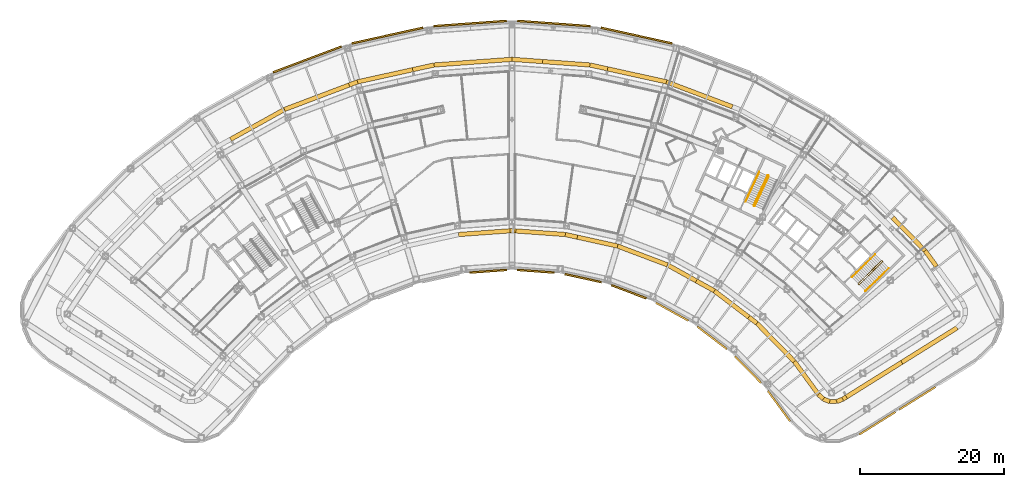
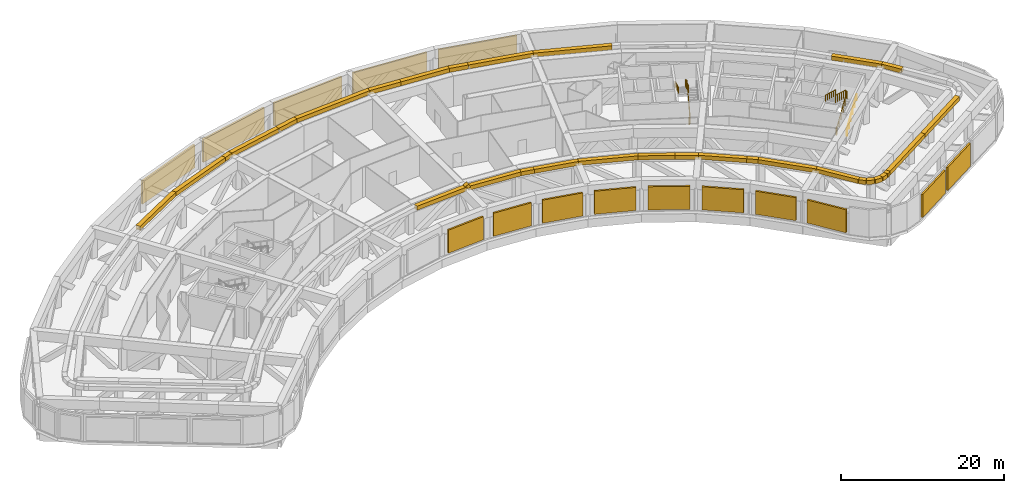
# One storey, part 28 of 30: 32 coverings, 15 shading devices, 5 railings.
"""IFC4 building model written with IfcOpenShell, lengths in metres."""

from ifc_helpers import new_model, si_unit, direction, frame, origin, origin_2d, place, context, subcontext, project, spatial, rectangle, circle, extrude, material, material_profile, profile_set, type_object, element, save


model = new_model("IFC4")

# Units and contexts
model_context = context("Model", 3, precision=1e-05, world=origin(), true_north=direction((0.0, 1.0)))
body_context = subcontext(model_context, "Body", "Model", "MODEL_VIEW")
ifc_project = project(units=[si_unit("LENGTHUNIT", "METRE"), si_unit("AREAUNIT", "SQUARE_METRE"), si_unit("VOLUMEUNIT", "CUBIC_METRE"), si_unit("PLANEANGLEUNIT", "RADIAN"), si_unit("MASSUNIT", "GRAM", prefix="KILO")], contexts=[model_context])

# Site, building, storey
site_placement = place(None, origin())
site = spatial("IfcSite", under=ifc_project, at=site_placement, CompositionType="ELEMENT")
building_placement = place(site_placement, origin())
building = spatial("IfcBuilding", under=site, at=building_placement, Name="Tuul Gate Civic Tower", CompositionType="ELEMENT")
storey_placement = place(building_placement, frame((0.0, 0.0, 26.699951171875)))
storey = spatial("IfcBuildingStorey", under=building, at=storey_placement, Name="Plant and refuge floor 1", CompositionType="ELEMENT", Elevation=26.699951171875)

# Shading devices
ifc_material_1 = material(Name="Aluminium louvre", Category="aluminium")
shading_device_type = type_object("IfcShadingDeviceType", Name="Louvre panel", PredefinedType="USERDEFINED", material=ifc_material_1)
for number, where, z_axis, x_axis, name in (
    (1, (17.27783203125, 18.398681640625, 0.30029296875), (0.0, 0.0, 1.0), (0.215206763576, 0.976568507024, 0.0), "Louvre panel"),
    (2, (5.799560546875, 20.070068359375, 0.30029296875), (0.0, 0.0, 1.0), (0.072256877688, 0.99738605546, 0.0), "Louvre panel"),
    (3, (-5.799560546875, 20.070068359375, 0.30029296875), (0.0, 0.0, 1.0), (-0.072256877688, 0.99738605546, 0.0), "Louvre panel"),
    (4, (-17.27783203125, 18.398681640625, 0.30029296875), (0.0, 0.0, 1.0), (-0.215206763576, 0.976568507024, 0.0), "Louvre panel"),
    (5, (-28.395751953125, 15.09033203125, 0.30029296875), (0.0, 0.0, 1.0), (-0.353698661692, 0.935359426487, 0.0), "Louvre panel"),
):
    element("IfcShadingDevice", number, at=place(storey_placement, frame(where, z_axis=z_axis, x_axis=x_axis)), inside=storey, type_object=shading_device_type, Name=name, ObjectType="LOUVRE", PredefinedType="USERDEFINED", context=body_context, shape_type="SweptSolid", body=[
        extrude(rectangle(XDim=0.25, YDim=10.10009765625, at=origin_2d()), origin(), (0.0, 0.0, 1.0), 3.449951171875),
    ])
for number, where, z_axis, x_axis, name in (
    (6, (-3.31103515625, -14.2890625, 0.30029296875), (0.0, 0.0, 1.0), (0.072250439303, -0.997386521876, 0.0), "Louvre panel"),
    (7, (3.31103515625, -14.2890625, 0.30029296875), (0.0, 0.0, 1.0), (-0.072250439303, -0.997386521876, 0.0), "Louvre panel"),
    (8, (9.863525390625, -15.24365234375, 0.30029296875), (0.0, 0.0, 1.0), (-0.215260087551, -0.976556754473, 0.0), "Louvre panel"),
    (9, (16.210205078125, -17.13232421875, 0.30029296875), (0.0, 0.0, 1.0), (-0.353739389433, -0.935344024605, 0.0), "Louvre panel"),
    (10, (22.218994140625, -19.915771484375, 0.30029296875), (0.0, 0.0, 1.0), (-0.484724404523, -0.87466693756, 0.0), "Louvre panel"),
    (11, (27.763671875, -23.535888671875, 0.30029296875), (0.0, 0.0, 1.0), (-0.605776174218, -0.795635109048, 0.0), "Louvre panel"),
    (12, (32.728759765625, -27.91748046875, 0.30029296875), (0.0, 0.0, 1.0), (-0.714131733701, -0.700011333423, 0.0), "Louvre panel"),
):
    element("IfcShadingDevice", number, at=place(storey_placement, frame(where, z_axis=z_axis, x_axis=x_axis)), inside=storey, type_object=shading_device_type, Name=name, ObjectType="LOUVRE", PredefinedType="USERDEFINED", context=body_context, shape_type="SweptSolid", body=[
        extrude(rectangle(XDim=0.25, YDim=5.14990234375, at=origin_2d()), origin(), (0.0, 0.0, 1.0), 3.449951171875),
    ])
shading_device_placement = place(storey_placement, frame((37.0263671875, -32.990966796875, 0.30029296875), z_axis=(0.0, 0.0, 1.0), x_axis=(-0.807581267597, -0.589756302404, 0.0)))
element("IfcShadingDevice", 13, at=shading_device_placement, inside=storey, type_object=shading_device_type, Name="Louvre panel", ObjectType="LOUVRE", PredefinedType="USERDEFINED", context=body_context, shape_type="SweptSolid", body=[
    extrude(rectangle(XDim=0.25, YDim=5.199951171875, at=origin_2d()), origin(), (0.0, 0.0, 1.0), 3.449951171875),
])
for number, where, z_axis, x_axis, name in (
    (14, (50.678955078125, -35.3779296875, 0.30029296875), (0.0, 0.0, 1.0), (0.529943874358, -0.848032717547, 0.0), "Louvre panel"),
    (15, (56.21630859375, -31.91748046875, 0.30029296875), (0.0, 0.0, 1.0), (0.529943874358, -0.848032717547, 0.0), "Louvre panel"),
):
    element("IfcShadingDevice", number, at=place(storey_placement, frame(where, z_axis=z_axis, x_axis=x_axis)), inside=storey, type_object=shading_device_type, Name=name, ObjectType="LOUVRE", PredefinedType="USERDEFINED", context=body_context, shape_type="SweptSolid", body=[
        extrude(rectangle(XDim=0.25, YDim=5.89990234375, at=origin_2d()), origin(), (0.0, 0.0, 1.0), 3.449951171875),
    ])

# Railings
ifc_material_2 = material(Name="Painted steel", Category="steel")
railing_type_1 = type_object("IfcRailingType", Name="Stair guard", PredefinedType="GUARDRAIL", material=ifc_material_2)
railing_1_placement = place(storey_placement, frame((48.10546875, -16.134765625, 0.0)))
element("IfcRailing", 16, at=railing_1_placement, inside=storey, type_object=railing_type_1, Name="Plant and refuge floor 1 ST-3 stair guard 1", PredefinedType="GUARDRAIL", context=body_context, shape_type="SweptSolid", body=[
    extrude(circle(Radius=0.02392578125, at=origin_2d()), frame((0.0, 0.0, 1.076171875), z_axis=(-0.698506948293, 0.715603272202, 0.0), x_axis=(-0.715603272202, -0.698506948293, 0.0)), (0.0, 0.0, 1.0), 0.099853515625),
    extrude(circle(Radius=0.02392578125, at=origin_2d()), frame((-0.06982421875, 0.071533203125, 1.076171875), z_axis=(0.644948864628, -0.331432055434, 0.688617277337), x_axis=(0.457068866502, 0.889431307788, 0.0)), (0.0, 0.0, 1.0), 0.218017578125),
    extrude(circle(Radius=0.02392578125, at=origin_2d()), frame((0.07080078125, -0.000732421875, 1.22607421875), z_axis=(0.638734809626, 0.626118304991, 0.447206564272), x_axis=(-0.700018794508, 0.714124420066, 0.0)), (0.0, 0.0, 1.0), 5.03125),
    extrude(circle(Radius=0.02392578125, at=origin_2d()), frame((3.284423828125, 3.1494140625, 3.47607421875), z_axis=(0.010344274102, 0.999946496565, 0.0), x_axis=(-0.999946496565, 0.010344274102, 0.0)), (0.0, 0.0, 1.0), 0.07080078125),
    extrude(circle(Radius=0.02392578125, at=origin_2d()), frame((3.28515625, 3.22021484375, 3.47607421875), z_axis=(-0.700974368541, 0.713186465554, 0.0), x_axis=(-0.713186465554, -0.700974368541, 0.0)), (0.0, 0.0, 1.0), 0.099853515625),
    extrude(circle(Radius=0.02392578125, at=origin_2d()), frame((3.215087890625, 3.29150390625, 3.47607421875), z_axis=(-0.427069033481, 0.004417955519, 0.904208229508), x_axis=(-0.010344274102, -0.999946496565, 0.0)), (0.0, 0.0, 1.0), 0.165771484375),
    extrude(circle(Radius=0.02392578125, at=origin_2d()), frame((3.144287109375, 3.292236328125, 3.6259765625), z_axis=(-0.638734809626, -0.626118304991, 0.447206564272), x_axis=(0.700018794508, -0.714124420066, 0.0)), (0.0, 0.0, 1.0), 5.03125),
    extrude(circle(Radius=0.02099609375, at=origin_2d()), origin(), (0.0, 0.0, 1.0), 1.052001953125),
    extrude(circle(Radius=0.02099609375, at=origin_2d()), frame((-0.06982421875, 0.071533203125, 0.0)), (0.0, 0.0, 1.0), 1.052001953125),
    extrude(circle(Radius=0.02099609375, at=origin_2d()), frame((0.07080078125, -0.000732421875, 0.150146484375)), (0.0, 0.0, 1.0), 1.052001953125),
    extrude(circle(Radius=0.02099609375, at=origin_2d()), frame((0.713623046875, 0.62939453125, 0.60009765625)), (0.0, 0.0, 1.0), 1.052001953125),
    extrude(circle(Radius=0.02099609375, at=origin_2d()), frame((1.356201171875, 1.25927734375, 1.050048828125)), (0.0, 0.0, 1.0), 1.052001953125),
    extrude(circle(Radius=0.02099609375, at=origin_2d()), frame((1.9990234375, 1.889404296875, 1.500244140625)), (0.0, 0.0, 1.0), 1.052001953125),
    extrude(circle(Radius=0.02099609375, at=origin_2d()), frame((2.6416015625, 2.519287109375, 1.9501953125)), (0.0, 0.0, 1.0), 1.052001953125),
    extrude(circle(Radius=0.02099609375, at=origin_2d()), frame((3.284423828125, 3.1494140625, 2.400146484375)), (0.0, 0.0, 1.0), 1.052001953125),
    extrude(circle(Radius=0.02099609375, at=origin_2d()), frame((3.28515625, 3.22021484375, 2.400146484375)), (0.0, 0.0, 1.0), 1.052001953125),
    extrude(circle(Radius=0.02099609375, at=origin_2d()), frame((3.215087890625, 3.29150390625, 2.400146484375)), (0.0, 0.0, 1.0), 1.052001953125),
    extrude(circle(Radius=0.02099609375, at=origin_2d()), frame((3.144287109375, 3.292236328125, 2.550048828125)), (0.0, 0.0, 1.0), 1.052001953125),
    extrude(circle(Radius=0.02099609375, at=origin_2d()), frame((2.50146484375, 2.662109375, 3.0)), (0.0, 0.0, 1.0), 1.052001953125),
    extrude(circle(Radius=0.02099609375, at=origin_2d()), frame((1.85888671875, 2.0322265625, 3.449951171875)), (0.0, 0.0, 1.0), 1.052001953125),
    extrude(circle(Radius=0.02099609375, at=origin_2d()), frame((1.216064453125, 1.402099609375, 3.900146484375)), (0.0, 0.0, 1.0), 1.052001953125),
    extrude(circle(Radius=0.02099609375, at=origin_2d()), frame((0.573486328125, 0.772216796875, 4.35009765625)), (0.0, 0.0, 1.0), 1.052001953125),
    extrude(circle(Radius=0.02099609375, at=origin_2d()), frame((-0.0693359375, 0.14208984375, 4.800048828125)), (0.0, 0.0, 1.0), 1.052001953125),
])
railing_2_placement = place(storey_placement, frame((33.645751953125, -5.238525390625, 0.0)))
element("IfcRailing", 17, at=railing_2_placement, inside=storey, type_object=railing_type_1, Name="Plant and refuge floor 1 ST-4 stair guard 1", PredefinedType="GUARDRAIL", context=body_context, shape_type="SweptSolid", body=[
    extrude(circle(Radius=0.02392578125, at=origin_2d()), frame((0.0, 0.0, 1.076171875), z_axis=(-0.906307919131, 0.422617978463, 0.0), x_axis=(-0.422617978463, -0.906307919131, 0.0)), (0.0, 0.0, 1.0), 0.099853515625),
    extrude(circle(Radius=0.02392578125, at=origin_2d()), frame((-0.090576171875, 0.042236328125, 1.076171875), z_axis=(0.720179819621, -0.082882280952, 0.688818956559), x_axis=(0.114330889033, 0.993442724979, 0.0)), (0.0, 0.0, 1.0), 0.218017578125),
    extrude(circle(Radius=0.02392578125, at=origin_2d()), frame((0.06640625, 0.024169921875, 1.22607421875), z_axis=(0.377973126322, 0.810635649661, 0.447220481728), x_axis=(-0.906321697749, 0.42258842884, 0.0)), (0.0, 0.0, 1.0), 5.031005859375),
    extrude(circle(Radius=0.02392578125, at=origin_2d()), frame((1.968017578125, 4.1025390625, 3.47607421875), z_axis=(-0.342020437038, 0.939692513883, 0.0), x_axis=(-0.939692513883, -0.342020437038, 0.0)), (0.0, 0.0, 1.0), 0.070556640625),
    extrude(circle(Radius=0.02392578125, at=origin_2d()), frame((1.94384765625, 4.1689453125, 3.47607421875), z_axis=(-0.906307919131, 0.422617978463, 0.0), x_axis=(-0.422617978463, -0.906307919131, 0.0)), (0.0, 0.0, 1.0), 0.099853515625),
    extrude(circle(Radius=0.02392578125, at=origin_2d()), frame((1.853271484375, 4.211181640625, 3.47607421875), z_axis=(-0.401937642714, -0.145757606699, 0.903991621343), x_axis=(0.340913456846, -0.94009468403, 0.0)), (0.0, 0.0, 1.0), 0.165771484375),
    extrude(circle(Radius=0.02392578125, at=origin_2d()), frame((1.78662109375, 4.18701171875, 3.6259765625), z_axis=(-0.377931531328, -0.81065051757, 0.447228684222), x_axis=(0.906342476667, -0.422543861615, 0.0)), (0.0, 0.0, 1.0), 5.031005859375),
    extrude(circle(Radius=0.02099609375, at=origin_2d()), origin(), (0.0, 0.0, 1.0), 1.052001953125),
    extrude(circle(Radius=0.02099609375, at=origin_2d()), frame((-0.090576171875, 0.042236328125, 0.0)), (0.0, 0.0, 1.0), 1.052001953125),
    extrude(circle(Radius=0.02099609375, at=origin_2d()), frame((0.06640625, 0.024169921875, 0.150146484375)), (0.0, 0.0, 1.0), 1.052001953125),
    extrude(circle(Radius=0.02099609375, at=origin_2d()), frame((0.44677734375, 0.83984375, 0.60009765625)), (0.0, 0.0, 1.0), 1.052001953125),
    extrude(circle(Radius=0.02099609375, at=origin_2d()), frame((0.8271484375, 1.655517578125, 1.050048828125)), (0.0, 0.0, 1.0), 1.052001953125),
    extrude(circle(Radius=0.02099609375, at=origin_2d()), frame((1.207275390625, 2.47119140625, 1.500244140625)), (0.0, 0.0, 1.0), 1.052001953125),
    extrude(circle(Radius=0.02099609375, at=origin_2d()), frame((1.587646484375, 3.286865234375, 1.9501953125)), (0.0, 0.0, 1.0), 1.052001953125),
    extrude(circle(Radius=0.02099609375, at=origin_2d()), frame((1.968017578125, 4.1025390625, 2.400146484375)), (0.0, 0.0, 1.0), 1.052001953125),
    extrude(circle(Radius=0.02099609375, at=origin_2d()), frame((1.94384765625, 4.1689453125, 2.400146484375)), (0.0, 0.0, 1.0), 1.052001953125),
    extrude(circle(Radius=0.02099609375, at=origin_2d()), frame((1.853271484375, 4.211181640625, 2.400146484375)), (0.0, 0.0, 1.0), 1.052001953125),
    extrude(circle(Radius=0.02099609375, at=origin_2d()), frame((1.78662109375, 4.18701171875, 2.550048828125)), (0.0, 0.0, 1.0), 1.052001953125),
    extrude(circle(Radius=0.02099609375, at=origin_2d()), frame((1.40625, 3.371337890625, 3.0)), (0.0, 0.0, 1.0), 1.052001953125),
    extrude(circle(Radius=0.02099609375, at=origin_2d()), frame((1.026123046875, 2.5556640625, 3.449951171875)), (0.0, 0.0, 1.0), 1.052001953125),
    extrude(circle(Radius=0.02099609375, at=origin_2d()), frame((0.645751953125, 1.739990234375, 3.900146484375)), (0.0, 0.0, 1.0), 1.052001953125),
    extrude(circle(Radius=0.02099609375, at=origin_2d()), frame((0.265625, 0.92431640625, 4.35009765625)), (0.0, 0.0, 1.0), 1.052001953125),
    extrude(circle(Radius=0.02099609375, at=origin_2d()), frame((-0.11474609375, 0.108642578125, 4.800048828125)), (0.0, 0.0, 1.0), 1.052001953125),
])
ifc_material_3 = material(Name="Painted steel", Category="steel")
railing_type_2 = type_object("IfcRailingType", Name="Stair handrail", PredefinedType="HANDRAIL", material=ifc_material_3)
railing_3_placement = place(storey_placement, frame((49.05126953125, -17.028076171875, 0.150146484375)))
element("IfcRailing", 18, at=railing_3_placement, inside=storey, type_object=railing_type_2, Name="Plant and refuge floor 1 ST-3 stair handrail 1", PredefinedType="HANDRAIL", context=body_context, shape_type="SweptSolid", body=[
    extrude(circle(Radius=0.02392578125, at=origin_2d()), frame((0.0, 0.0, 0.8759765625), z_axis=(0.638734809626, 0.626118304991, 0.447206564272), x_axis=(-0.700018794508, 0.714124420066, 0.0)), (0.0, 0.0, 1.0), 5.03125),
    extrude(circle(Radius=0.02099609375, at=origin_2d()), origin(), (0.0, 0.0, 1.0), 0.851806640625),
    extrude(circle(Radius=0.02099609375, at=origin_2d()), frame((0.642822265625, 0.630126953125, 0.449951171875)), (0.0, 0.0, 1.0), 0.851806640625),
    extrude(circle(Radius=0.02099609375, at=origin_2d()), frame((1.285400390625, 1.260009765625, 0.89990234375)), (0.0, 0.0, 1.0), 0.851806640625),
    extrude(circle(Radius=0.02099609375, at=origin_2d()), frame((1.92822265625, 1.89013671875, 1.35009765625)), (0.0, 0.0, 1.0), 0.851806640625),
    extrude(circle(Radius=0.02099609375, at=origin_2d()), frame((2.57080078125, 2.52001953125, 1.800048828125)), (0.0, 0.0, 1.0), 0.851806640625),
    extrude(circle(Radius=0.02099609375, at=origin_2d()), frame((3.213623046875, 3.150146484375, 2.25)), (0.0, 0.0, 1.0), 0.851806640625),
])
railing_4_placement = place(storey_placement, frame((50.374755859375, -11.949951171875, 2.550048828125)))
element("IfcRailing", 19, at=railing_4_placement, inside=storey, type_object=railing_type_2, Name="Plant and refuge floor 1 ST-3 stair handrail 2", PredefinedType="HANDRAIL", context=body_context, shape_type="SweptSolid", body=[
    extrude(circle(Radius=0.02392578125, at=origin_2d()), frame((0.0, 0.0, 0.8759765625), z_axis=(-0.638754216056, -0.626088801607, 0.447220151574), x_axis=(0.699991125633, -0.714151541366, 0.0)), (0.0, 0.0, 1.0), 5.031005859375),
    extrude(circle(Radius=0.02099609375, at=origin_2d()), origin(), (0.0, 0.0, 1.0), 0.851806640625),
    extrude(circle(Radius=0.02099609375, at=origin_2d()), frame((-0.642822265625, -0.6298828125, 0.449951171875)), (0.0, 0.0, 1.0), 0.851806640625),
    extrude(circle(Radius=0.02099609375, at=origin_2d()), frame((-1.285400390625, -1.260009765625, 0.89990234375)), (0.0, 0.0, 1.0), 0.851806640625),
    extrude(circle(Radius=0.02099609375, at=origin_2d()), frame((-1.92822265625, -1.889892578125, 1.35009765625)), (0.0, 0.0, 1.0), 0.851806640625),
    extrude(circle(Radius=0.02099609375, at=origin_2d()), frame((-2.57080078125, -2.52001953125, 1.800048828125)), (0.0, 0.0, 1.0), 0.851806640625),
    extrude(circle(Radius=0.02099609375, at=origin_2d()), frame((-3.213623046875, -3.14990234375, 2.25)), (0.0, 0.0, 1.0), 0.851806640625),
])
railing_5_placement = place(storey_placement, frame((34.299560546875, -0.523193359375, 2.550048828125)))
element("IfcRailing", 20, at=railing_5_placement, inside=storey, type_object=railing_type_2, Name="Plant and refuge floor 1 ST-4 stair handrail 2", PredefinedType="HANDRAIL", context=body_context, shape_type="SweptSolid", body=[
    extrude(circle(Radius=0.02392578125, at=origin_2d()), frame((0.0, 0.0, 0.8759765625), z_axis=(-0.377973126322, -0.810635649661, 0.447220481728), x_axis=(0.906321697749, -0.42258842884, 0.0)), (0.0, 0.0, 1.0), 5.031005859375),
    extrude(circle(Radius=0.02099609375, at=origin_2d()), origin(), (0.0, 0.0, 1.0), 0.851806640625),
    extrude(circle(Radius=0.02099609375, at=origin_2d()), frame((-0.38037109375, -0.815673828125, 0.449951171875)), (0.0, 0.0, 1.0), 0.851806640625),
    extrude(circle(Radius=0.02099609375, at=origin_2d()), frame((-0.7607421875, -1.63134765625, 0.89990234375)), (0.0, 0.0, 1.0), 0.851806640625),
    extrude(circle(Radius=0.02099609375, at=origin_2d()), frame((-1.140869140625, -2.447021484375, 1.35009765625)), (0.0, 0.0, 1.0), 0.851806640625),
    extrude(circle(Radius=0.02099609375, at=origin_2d()), frame((-1.521240234375, -3.2626953125, 1.800048828125)), (0.0, 0.0, 1.0), 0.851806640625),
    extrude(circle(Radius=0.02099609375, at=origin_2d()), frame((-1.901611328125, -4.078369140625, 2.25)), (0.0, 0.0, 1.0), 0.851806640625),
])

# Coverings
ifc_material_4 = material(Name="Terracotta baguette", Category="masonry")
ifc_material_profile = material_profile(ifc_material_4, rectangle(XDim=0.60009765625, YDim=0.60009765625, at=origin_2d()), Name="Terracotta baguette screen frame")
ifc_profile_set = profile_set([ifc_material_profile], Name="Terracotta baguette")
covering_type = type_object("IfcCoveringType", Name="Terracotta baguette screen frame", PredefinedType="CLADDING", material=ifc_profile_set)
covering_1_placement = place(storey_placement, frame((58.870361328125, -13.60400390625, 4.449951171875), z_axis=(-0.589822441222, 0.807532963928, 0.0), x_axis=(-0.807532963928, -0.589822441222, 0.0)))
element("IfcCovering", 21, at=covering_1_placement, inside=storey, type_object=covering_type, Name="Baguette 21", PredefinedType="CLADDING", context=body_context, shape_type="SweptSolid", body=[
    extrude(rectangle(XDim=0.60009765625, YDim=0.60009765625, at=origin_2d()), origin(), (0.0, 0.0, 1.0), 2.68017578125),
])
covering_2_placement = place(storey_placement, frame((57.28955078125, -11.439697265625, 4.449951171875), z_axis=(-0.700001676443, 0.714141199607, 0.0), x_axis=(-0.714141199607, -0.700001676443, 0.0)))
element("IfcCovering", 22, at=covering_2_placement, inside=storey, type_object=covering_type, Name="Baguette 22", PredefinedType="CLADDING", context=body_context, shape_type="SweptSolid", body=[
    extrude(rectangle(XDim=0.60009765625, YDim=0.60009765625, at=origin_2d()), origin(), (0.0, 0.0, 1.0), 6.406005859375),
])
covering_3_placement = place(storey_placement, frame((13.25244140625, 13.7822265625, 4.449951171875), z_axis=(-0.976534395117, 0.215361498772, 0.0), x_axis=(-0.215361498772, -0.976534395117, 0.0)))
element("IfcCovering", 23, at=covering_3_placement, inside=storey, type_object=covering_type, Name="Baguette 63", PredefinedType="CLADDING", context=body_context, shape_type="SweptSolid", body=[
    extrude(rectangle(XDim=0.60009765625, YDim=0.60009765625, at=origin_2d()), origin(), (0.0, 0.0, 1.0), 2.48828125),
])
covering_4_placement = place(storey_placement, frame((10.822509765625, 14.318115234375, 4.449951171875), z_axis=(-0.997387816704, 0.07223256253, 0.0), x_axis=(-0.07223256253, -0.997387816704, 0.0)))
element("IfcCovering", 24, at=covering_4_placement, inside=storey, type_object=covering_type, Name="Baguette 64", PredefinedType="CLADDING", context=body_context, shape_type="SweptSolid", body=[
    extrude(rectangle(XDim=0.60009765625, YDim=0.60009765625, at=origin_2d()), origin(), (0.0, 0.0, 1.0), 6.583984375),
])
covering_5_placement = place(storey_placement, frame((-13.77880859375, 13.666259765625, 4.449951171875), z_axis=(-0.976546934006, -0.215304634606, 0.0), x_axis=(0.215304634606, -0.976546934006, 0.0)))
element("IfcCovering", 25, at=covering_5_placement, inside=storey, type_object=covering_type, Name="Baguette 87", PredefinedType="CLADDING", context=body_context, shape_type="SweptSolid", body=[
    extrude(rectangle(XDim=0.60009765625, YDim=0.60009765625, at=origin_2d()), origin(), (0.0, 0.0, 1.0), 7.82421875),
])
covering_6_placement = place(storey_placement, frame((-21.41943359375, 11.981689453125, 4.449951171875), z_axis=(-0.935401674011, -0.353586917544, 0.0), x_axis=(0.353586917544, -0.935401674011, 0.0)))
element("IfcCovering", 26, at=covering_6_placement, inside=storey, type_object=covering_type, Name="Baguette 88", PredefinedType="CLADDING", context=body_context, shape_type="SweptSolid", body=[
    extrude(rectangle(XDim=0.60009765625, YDim=0.60009765625, at=origin_2d()), origin(), (0.0, 0.0, 1.0), 1.248291015625),
])
covering_7_placement = place(storey_placement, frame((0.0, -8.660888671875, 4.948974609375), z_axis=(0.464874260037, -0.033761817768, -0.884732763051), x_axis=(0.072434920849, 0.997373140926, 0.0)))
element("IfcCovering", 27, at=covering_7_placement, inside=storey, type_object=covering_type, Name="Baguette 213", PredefinedType="CLADDING", context=body_context, shape_type="SweptSolid", body=[
    extrude(rectangle(XDim=0.60009765625, YDim=0.60009765625, at=origin_2d()), origin(), (0.0, 0.0, 1.0), 0.56396484375),
])
covering_8_placement = place(storey_placement, frame((0.26220703125, -8.679931640625, 4.449951171875), z_axis=(0.997395087783, -0.072132093174, 0.0), x_axis=(0.072132093174, 0.997395087783, 0.0)))
element("IfcCovering", 28, at=covering_8_placement, inside=storey, type_object=covering_type, Name="Baguette 220", PredefinedType="CLADDING", context=body_context, shape_type="SweptSolid", body=[
    extrude(rectangle(XDim=0.60009765625, YDim=0.60009765625, at=origin_2d()), origin(), (0.0, 0.0, 1.0), 7.155029296875),
])
covering_9_placement = place(storey_placement, frame((7.398681640625, -9.196044921875, 4.449951171875), z_axis=(0.97656469943, -0.215224041006, 0.0), x_axis=(0.215224041006, 0.97656469943, 0.0)))
element("IfcCovering", 29, at=covering_9_placement, inside=storey, type_object=covering_type, Name="Baguette 221", PredefinedType="CLADDING", context=body_context, shape_type="SweptSolid", body=[
    extrude(rectangle(XDim=0.60009765625, YDim=0.60009765625, at=origin_2d()), origin(), (0.0, 0.0, 1.0), 1.697021484375),
])
covering_10_placement = place(storey_placement, frame((25.57373046875, -15.62939453125, 4.449951171875), z_axis=(0.874584815903, -0.484872560362, 0.0), x_axis=(0.484872560362, 0.874584815903, 0.0)))
element("IfcCovering", 30, at=covering_10_placement, inside=storey, type_object=covering_type, Name="Baguette 240", PredefinedType="CLADDING", context=body_context, shape_type="SweptSolid", body=[
    extrude(rectangle(XDim=0.60009765625, YDim=0.60009765625, at=origin_2d()), origin(), (0.0, 0.0, 1.0), 2.85302734375),
])
covering_11_placement = place(storey_placement, frame((28.06884765625, -17.0126953125, 4.449951171875), z_axis=(0.795578368083, -0.605850691373, 0.0), x_axis=(0.605850691373, 0.795578368083, 0.0)))
element("IfcCovering", 31, at=covering_11_placement, inside=storey, type_object=covering_type, Name="Baguette 241", PredefinedType="CLADDING", context=body_context, shape_type="SweptSolid", body=[
    extrude(rectangle(XDim=0.60009765625, YDim=0.60009765625, at=origin_2d()), origin(), (0.0, 0.0, 1.0), 5.9990234375),
])
covering_12_placement = place(storey_placement, frame((46.385009765625, -31.722900390625, 4.449951171875), z_axis=(0.848039206863, 0.52993348981, 0.0), x_axis=(-0.52993348981, 0.848039206863, 0.0)))
element("IfcCovering", 32, at=covering_12_placement, inside=storey, type_object=covering_type, Name="Baguette 282", PredefinedType="CLADDING", context=body_context, shape_type="SweptSolid", body=[
    extrude(rectangle(XDim=0.60009765625, YDim=0.60009765625, at=origin_2d()), origin(), (0.0, 0.0, 1.0), 9.05322265625),
])
covering_13_placement = place(storey_placement, frame((30.569091796875, 8.5224609375, 4.449951171875), z_axis=(-0.935381115135, 0.35364130054, 0.0), x_axis=(-0.35364130054, -0.935381115135, 0.0)))
element("IfcCovering", 33, at=covering_13_placement, inside=storey, type_object=covering_type, Name="Baguette 384", PredefinedType="CLADDING", context=body_context, shape_type="SweptSolid", body=[
    extrude(rectangle(XDim=0.60009765625, YDim=0.60009765625, at=origin_2d()), origin(), (0.0, 0.0, 1.0), 9.78173828125),
])
covering_14_placement = place(storey_placement, frame((21.41943359375, 11.981689453125, 4.449951171875), z_axis=(-0.976549052093, 0.215295027478, 0.0), x_axis=(-0.215295027478, -0.976549052093, 0.0)))
element("IfcCovering", 34, at=covering_14_placement, inside=storey, type_object=covering_type, Name="Baguette 385", PredefinedType="CLADDING", context=body_context, shape_type="SweptSolid", body=[
    extrude(rectangle(XDim=0.60009765625, YDim=0.60009765625, at=origin_2d()), origin(), (0.0, 0.0, 1.0), 8.363037109375),
])
covering_15_placement = place(storey_placement, frame((4.255615234375, 14.793701171875, 4.449951171875), z_axis=(-0.997385274181, 0.072267661138, 0.0), x_axis=(-0.072267661138, -0.997385274181, 0.0)))
element("IfcCovering", 35, at=covering_15_placement, inside=storey, type_object=covering_type, Name="Baguette 386", PredefinedType="CLADDING", context=body_context, shape_type="SweptSolid", body=[
    extrude(rectangle(XDim=0.60009765625, YDim=0.60009765625, at=origin_2d()), origin(), (0.0, 0.0, 1.0), 4.266845703125),
])
covering_16_placement = place(storey_placement, frame((0.0, 15.10205078125, 4.449951171875), z_axis=(-0.997386817082, -0.072246363998, 0.0), x_axis=(0.072246363998, -0.997386817082, 0.0)))
element("IfcCovering", 36, at=covering_16_placement, inside=storey, type_object=covering_type, Name="Baguette 387", PredefinedType="CLADDING", context=body_context, shape_type="SweptSolid", body=[
    extrude(rectangle(XDim=0.60009765625, YDim=0.60009765625, at=origin_2d()), origin(), (0.0, 0.0, 1.0), 10.850830078125),
])
covering_17_placement = place(storey_placement, frame((-10.822509765625, 14.318115234375, 4.449951171875), z_axis=(-0.976542480186, -0.215324834594, 0.0), x_axis=(0.215324834594, -0.976542480186, 0.0)))
element("IfcCovering", 37, at=covering_17_placement, inside=storey, type_object=covering_type, Name="Baguette 388", PredefinedType="CLADDING", context=body_context, shape_type="SweptSolid", body=[
    extrude(rectangle(XDim=0.60009765625, YDim=0.60009765625, at=origin_2d()), origin(), (0.0, 0.0, 1.0), 3.02734375),
])
covering_18_placement = place(storey_placement, frame((-22.587158203125, 11.540283203125, 4.449951171875), z_axis=(-0.935374930246, -0.353657659139, 0.0), x_axis=(0.353657659139, -0.935374930246, 0.0)))
element("IfcCovering", 38, at=covering_18_placement, inside=storey, type_object=covering_type, Name="Baguette 389", PredefinedType="CLADDING", context=body_context, shape_type="SweptSolid", body=[
    extrude(rectangle(XDim=0.60009765625, YDim=0.60009765625, at=origin_2d()), origin(), (0.0, 0.0, 1.0), 9.6025390625),
])
covering_19_placement = place(storey_placement, frame((-31.569091796875, 8.144287109375, 4.449951171875), z_axis=(-0.874631408873, -0.48478850916, 0.0), x_axis=(0.48478850916, -0.874631408873, 0.0)))
element("IfcCovering", 39, at=covering_19_placement, inside=storey, type_object=covering_type, Name="Baguette 390", PredefinedType="CLADDING", context=body_context, shape_type="SweptSolid", body=[
    extrude(rectangle(XDim=0.60009765625, YDim=0.60009765625, at=origin_2d()), origin(), (0.0, 0.0, 1.0), 8.5419921875),
])
covering_20_placement = place(storey_placement, frame((-7.398681640625, -9.196044921875, 4.449951171875), z_axis=(0.997394311548, 0.072142825637, 0.0), x_axis=(-0.072142825637, 0.997394311548, 0.0)))
element("IfcCovering", 40, at=covering_20_placement, inside=storey, type_object=covering_type, Name="Baguette 400", PredefinedType="CLADDING", context=body_context, shape_type="SweptSolid", body=[
    extrude(rectangle(XDim=0.60009765625, YDim=0.60009765625, at=origin_2d()), origin(), (0.0, 0.0, 1.0), 7.41796875),
])
covering_21_placement = place(storey_placement, frame((9.055908203125, -9.561279296875, 4.449951171875), z_axis=(0.976557161559, -0.215258240742, 0.0), x_axis=(0.215258240742, 0.976557161559, 0.0)))
element("IfcCovering", 41, at=covering_21_placement, inside=storey, type_object=covering_type, Name="Baguette 402", PredefinedType="CLADDING", context=body_context, shape_type="SweptSolid", body=[
    extrude(rectangle(XDim=0.60009765625, YDim=0.60009765625, at=origin_2d()), origin(), (0.0, 0.0, 1.0), 5.720703125),
])
covering_22_placement = place(storey_placement, frame((14.642578125, -10.792724609375, 4.449951171875), z_axis=(0.935363965038, -0.353686659217, 0.0), x_axis=(0.353686659217, 0.935363965038, 0.0)))
element("IfcCovering", 42, at=covering_22_placement, inside=storey, type_object=covering_type, Name="Baguette 403", PredefinedType="CLADDING", context=body_context, shape_type="SweptSolid", body=[
    extrude(rectangle(XDim=0.60009765625, YDim=0.60009765625, at=origin_2d()), origin(), (0.0, 0.0, 1.0), 7.417724609375),
])
covering_23_placement = place(storey_placement, frame((21.580810546875, -13.416259765625, 4.449951171875), z_axis=(0.874636136261, -0.484779980141, 0.0), x_axis=(0.484779980141, 0.874636136261, 0.0)))
element("IfcCovering", 43, at=covering_23_placement, inside=storey, type_object=covering_type, Name="Baguette 404", PredefinedType="CLADDING", context=body_context, shape_type="SweptSolid", body=[
    extrude(rectangle(XDim=0.60009765625, YDim=0.60009765625, at=origin_2d()), origin(), (0.0, 0.0, 1.0), 4.565185546875),
])
covering_24_placement = place(storey_placement, frame((32.841552734375, -20.647216796875, 4.449951171875), z_axis=(0.795601526241, -0.605820279821, 0.0), x_axis=(0.605820279821, 0.795601526241, 0.0)))
element("IfcCovering", 44, at=covering_24_placement, inside=storey, type_object=covering_type, Name="Baguette 405", PredefinedType="CLADDING", context=body_context, shape_type="SweptSolid", body=[
    extrude(rectangle(XDim=0.60009765625, YDim=0.60009765625, at=origin_2d()), origin(), (0.0, 0.0, 1.0), 1.4189453125),
])
covering_25_placement = place(storey_placement, frame((33.970458984375, -21.5068359375, 4.449951171875), z_axis=(0.700028633045, -0.714114775731, 0.0), x_axis=(0.714114775731, 0.700028633045, 0.0)))
element("IfcCovering", 45, at=covering_25_placement, inside=storey, type_object=covering_type, Name="Baguette 406", PredefinedType="CLADDING", context=body_context, shape_type="SweptSolid", body=[
    extrude(rectangle(XDim=0.60009765625, YDim=0.60009765625, at=origin_2d()), origin(), (0.0, 0.0, 1.0), 7.41796875),
])
covering_26_placement = place(storey_placement, frame((39.163330078125, -26.80419921875, 4.449951171875), z_axis=(0.589729447422, -0.807600878432, 0.0), x_axis=(0.807600878432, 0.589729447422, 0.0)))
element("IfcCovering", 46, at=covering_26_placement, inside=storey, type_object=covering_type, Name="Baguette 407", PredefinedType="CLADDING", context=body_context, shape_type="SweptSolid", body=[
    extrude(rectangle(XDim=0.60009765625, YDim=0.60009765625, at=origin_2d()), origin(), (0.0, 0.0, 1.0), 5.671142578125),
])
covering_27_placement = place(storey_placement, frame((42.5078125, -31.38427734375, 4.449951171875), z_axis=(0.730001285686, -0.683445771731, 0.0), x_axis=(0.683445771731, 0.730001285686, 0.0)))
element("IfcCovering", 47, at=covering_27_placement, inside=storey, type_object=covering_type, Name="Baguette 408", PredefinedType="CLADDING", context=body_context, shape_type="SweptSolid", body=[
    extrude(rectangle(XDim=0.60009765625, YDim=0.60009765625, at=origin_2d()), origin(), (0.0, 0.0, 1.0), 0.902099609375),
])
covering_28_placement = place(storey_placement, frame((43.166259765625, -32.000732421875, 4.449951171875), z_axis=(0.929647485715, -0.36845020329, 0.0), x_axis=(0.36845020329, 0.929647485715, 0.0)))
element("IfcCovering", 48, at=covering_28_placement, inside=storey, type_object=covering_type, Name="Baguette 409", PredefinedType="CLADDING", context=body_context, shape_type="SweptSolid", body=[
    extrude(rectangle(XDim=0.60009765625, YDim=0.60009765625, at=origin_2d()), origin(), (0.0, 0.0, 1.0), 0.97412109375),
])
covering_29_placement = place(storey_placement, frame((44.07177734375, -32.359619140625, 4.449951171875), z_axis=(0.999996192163, -0.002759648297, 0.0), x_axis=(0.002759648297, 0.999996192163, 0.0)))
element("IfcCovering", 49, at=covering_29_placement, inside=storey, type_object=covering_type, Name="Baguette 410", PredefinedType="CLADDING", context=body_context, shape_type="SweptSolid", body=[
    extrude(rectangle(XDim=0.60009765625, YDim=0.60009765625, at=origin_2d()), origin(), (0.0, 0.0, 1.0), 0.97314453125),
])
covering_30_placement = place(storey_placement, frame((45.044921875, -32.3623046875, 4.449951171875), z_axis=(0.93189278144, 0.362733847194, 0.0), x_axis=(-0.362733847194, 0.93189278144, 0.0)))
element("IfcCovering", 50, at=covering_30_placement, inside=storey, type_object=covering_type, Name="Baguette 411", PredefinedType="CLADDING", context=body_context, shape_type="SweptSolid", body=[
    extrude(rectangle(XDim=0.60009765625, YDim=0.60009765625, at=origin_2d()), origin(), (0.0, 0.0, 1.0), 0.901123046875),
])
covering_31_placement = place(storey_placement, frame((45.884765625, -32.035400390625, 4.449951171875), z_axis=(0.848114552231, 0.52981289744, 0.0), x_axis=(-0.52981289744, 0.848114552231, 0.0)))
element("IfcCovering", 51, at=covering_31_placement, inside=storey, type_object=covering_type, Name="Baguette 412", PredefinedType="CLADDING", context=body_context, shape_type="SweptSolid", body=[
    extrude(rectangle(XDim=0.60009765625, YDim=0.60009765625, at=origin_2d()), origin(), (0.0, 0.0, 1.0), 0.58984375),
])
covering_32_placement = place(storey_placement, frame((54.0625, -26.92529296875, 4.449951171875), z_axis=(0.848063445072, 0.529894700042, 0.0), x_axis=(-0.529894700042, 0.848063445072, 0.0)))
element("IfcCovering", 52, at=covering_32_placement, inside=storey, type_object=covering_type, Name="Baguette 413", PredefinedType="CLADDING", context=body_context, shape_type="SweptSolid", body=[
    extrude(rectangle(XDim=0.60009765625, YDim=0.60009765625, at=origin_2d()), origin(), (0.0, 0.0, 1.0), 9.052978515625),
])

save(model, "model.ifc")
